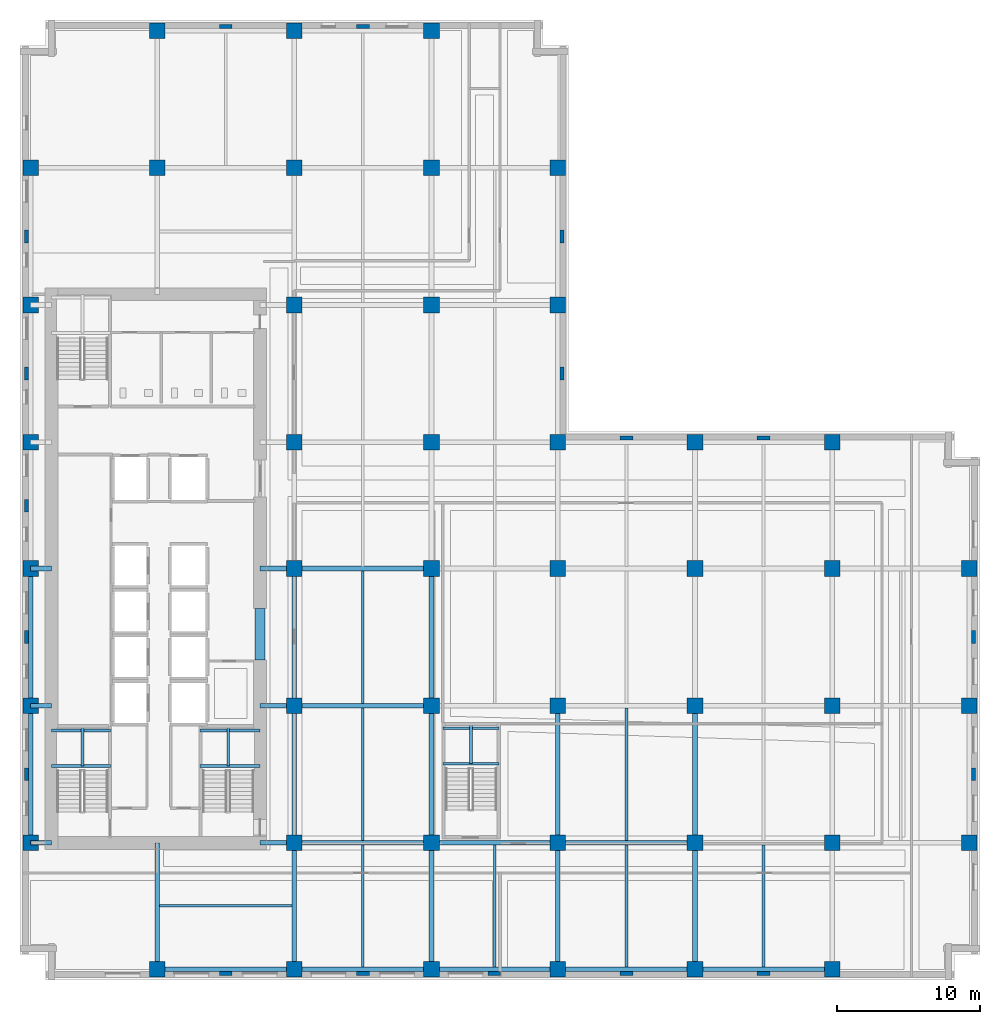
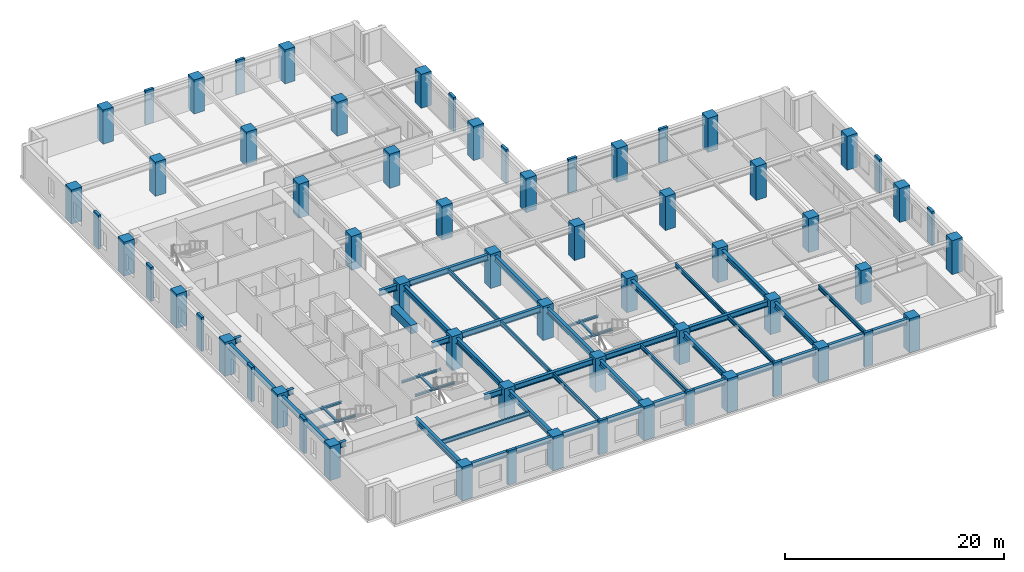
# One storey, part 1 of 15: 63 columns, 47 beams.
"""IFC4 building model written with IfcOpenShell, lengths in metres."""

from ifc_helpers import new_model, si_unit, direction, frame, origin, origin_2d, place, context, subcontext, project, spatial, rectangle, i_section, extrude, material, material_profile, profile_set, type_object, element, save


model = new_model("IFC4")

# Units and contexts
model_context = context("Model", 3, precision=1e-05, world=origin(), true_north=direction((0.0, 1.0)))
body_context = subcontext(model_context, "Body", "Model", "MODEL_VIEW")
ifc_project = project(units=[si_unit("LENGTHUNIT", "METRE"), si_unit("AREAUNIT", "SQUARE_METRE"), si_unit("VOLUMEUNIT", "CUBIC_METRE"), si_unit("PLANEANGLEUNIT", "RADIAN"), si_unit("MASSUNIT", "GRAM", prefix="KILO")], contexts=[model_context])

# Site, building, storey
site_placement = place(None, origin())
site = spatial("IfcSite", under=ifc_project, at=site_placement, CompositionType="ELEMENT")
building_placement = place(site_placement, origin())
building = spatial("IfcBuilding", under=site, at=building_placement, Name="Norrvale University Quadrangle", CompositionType="ELEMENT")
storey_placement = place(building_placement, frame((0.0, 0.0, 88.800048828125)))
storey = spatial("IfcBuildingStorey", under=building, at=storey_placement, Name="L22", CompositionType="ELEMENT", Elevation=88.800048828125)

# Columns
ifc_material_1 = material(Name="Buff Brick Concrete C60/75", Category="concrete")
ifc_material_profile_1 = material_profile(ifc_material_1, rectangle(XDim=0.89990234375, YDim=0.280029296875, at=origin_2d()), Name="Buff Brick Concrete C60/75")
ifc_profile_set_1 = profile_set([ifc_material_profile_1], Name="Buff Brick Concrete C60/75")
column_type_1 = type_object("IfcColumnType", Name="Column Buff Pier 900x280", PredefinedType="PILASTER", material=ifc_profile_set_1)
for number, where, z_axis, x_axis, name in (
    (1, (0.449951171875, 14.39990234375, 0.0), (0.0, 0.0, 1.0), (0.0, 1.0, 0.0), "Exterior Brick Facade Pilaster L22-01"),
    (2, (0.449951171875, 24.0, 0.0), (0.0, 0.0, 1.0), (0.0, 1.0, 0.0), "Exterior Brick Facade Pilaster L22-02"),
    (3, (0.449951171875, 33.199951171875, 0.0), (0.0, 0.0, 1.0), (0.0, 1.0, 0.0), "Exterior Brick Facade Pilaster L22-03"),
    (4, (0.449951171875, 42.449951171875, 0.0), (0.0, 0.0, 1.0), (0.0, 1.0, 0.0), "Exterior Brick Facade Pilaster L22-04"),
    (5, (0.449951171875, 52.050048828125, 0.0), (0.0, 0.0, 1.0), (0.0, 1.0, 0.0), "Exterior Brick Facade Pilaster L22-05"),
    (6, (14.39990234375, 0.449951171875, 0.0), (0.0, 0.0, 1.0), (1.0, 0.0, 0.0), "Exterior Brick Facade Pilaster L22-06"),
    (7, (24.0, 0.449951171875, 0.0), (0.0, 0.0, 1.0), (1.0, 0.0, 0.0), "Exterior Brick Facade Pilaster L22-07"),
    (8, (33.199951171875, 0.449951171875, 0.0), (0.0, 0.0, 1.0), (1.0, 0.0, 0.0), "Exterior Brick Facade Pilaster L22-08"),
    (9, (42.449951171875, 0.449951171875, 0.0), (0.0, 0.0, 1.0), (1.0, 0.0, 0.0), "Exterior Brick Facade Pilaster L22-09"),
    (10, (52.050048828125, 0.449951171875, 0.0), (0.0, 0.0, 1.0), (1.0, 0.0, 0.0), "Exterior Brick Facade Pilaster L22-10"),
    (11, (66.75, 14.39990234375, 0.0), (0.0, 0.0, 1.0), (0.0, 1.0, 0.0), "Exterior Brick Facade Pilaster L22-11"),
    (12, (66.75, 24.0, 0.0), (0.0, 0.0, 1.0), (0.0, 1.0, 0.0), "Exterior Brick Facade Pilaster L22-12"),
    (13, (14.39990234375, 66.75, 0.0), (0.0, 0.0, 1.0), (1.0, 0.0, 0.0), "Exterior Brick Facade Pilaster L22-13"),
    (14, (24.0, 66.75, 0.0), (0.0, 0.0, 1.0), (1.0, 0.0, 0.0), "Exterior Brick Facade Pilaster L22-14"),
    (15, (37.949951171875, 42.449951171875, 0.0), (0.0, 0.0, 1.0), (0.0, 1.0, 0.0), "Exterior Brick Facade Pilaster L22-15"),
    (16, (37.949951171875, 52.050048828125, 0.0), (0.0, 0.0, 1.0), (0.0, 1.0, 0.0), "Exterior Brick Facade Pilaster L22-16"),
    (17, (42.449951171875, 37.949951171875, 0.0), (0.0, 0.0, 1.0), (1.0, 0.0, 0.0), "Exterior Brick Facade Pilaster L22-17"),
    (18, (52.050048828125, 37.949951171875, 0.0), (0.0, 0.0, 1.0), (1.0, 0.0, 0.0), "Exterior Brick Facade Pilaster L22-18"),
):
    element("IfcColumn", number, at=place(storey_placement, frame(where, z_axis=z_axis, x_axis=x_axis)), inside=storey, type_object=column_type_1, Name=name, PredefinedType="PILASTER", context=body_context, shape_type="SweptSolid", body=[
        extrude(rectangle(XDim=0.89990234375, YDim=0.280029296875, at=origin_2d()), origin(), (0.0, 0.0, 1.0), 3.800048828125),
    ])
ifc_material_2 = material(Name="Concrete C80/95", Category="concrete")
ifc_material_profile_2 = material_profile(ifc_material_2, rectangle(XDim=1.10009765625, YDim=1.10009765625, at=origin_2d()), Name="Concrete C80/95")
ifc_profile_set_2 = profile_set([ifc_material_profile_2], Name="Concrete C80/95")
column_type_2 = type_object("IfcColumnType", Name="Column Tower Z1 1100x1100", PredefinedType="COLUMN", material=ifc_profile_set_2)
for number, where, z_axis, x_axis, name in (
    (19, (0.75, 9.60009765625, 0.0), (0.0, 0.0, 1.0), (1.0, 0.0, 0.0), "Tower Column L22-T01"),
    (20, (0.75, 19.199951171875, 0.0), (0.0, 0.0, 1.0), (1.0, 0.0, 0.0), "Tower Column L22-T02"),
    (21, (0.75, 28.800048828125, 0.0), (0.0, 0.0, 1.0), (1.0, 0.0, 0.0), "Tower Column L22-T03"),
    (22, (0.75, 37.64990234375, 0.0), (0.0, 0.0, 1.0), (1.0, 0.0, 0.0), "Tower Column L22-T04"),
    (23, (0.75, 47.25, 0.0), (0.0, 0.0, 1.0), (1.0, 0.0, 0.0), "Tower Column L22-T05"),
    (24, (0.75, 56.85009765625, 0.0), (0.0, 0.0, 1.0), (1.0, 0.0, 0.0), "Tower Column L22-T06"),
    (25, (9.60009765625, 0.75, 0.0), (0.0, 0.0, 1.0), (1.0, 0.0, 0.0), "Tower Column L22-T07"),
    (26, (9.60009765625, 56.85009765625, 0.0), (0.0, 0.0, 1.0), (1.0, 0.0, 0.0), "Tower Column L22-T08"),
    (27, (9.60009765625, 66.449951171875, 0.0), (0.0, 0.0, 1.0), (1.0, 0.0, 0.0), "Tower Column L22-T09"),
    (28, (19.199951171875, 0.75, 0.0), (0.0, 0.0, 1.0), (1.0, 0.0, 0.0), "Tower Column L22-T10"),
    (29, (19.199951171875, 9.60009765625, 0.0), (0.0, 0.0, 1.0), (1.0, 0.0, 0.0), "Tower Column L22-T11"),
    (30, (19.199951171875, 19.199951171875, 0.0), (0.0, 0.0, 1.0), (1.0, 0.0, 0.0), "Tower Column L22-T12"),
    (31, (19.199951171875, 28.800048828125, 0.0), (0.0, 0.0, 1.0), (1.0, 0.0, 0.0), "Tower Column L22-T13"),
    (32, (19.199951171875, 37.64990234375, 0.0), (0.0, 0.0, 1.0), (1.0, 0.0, 0.0), "Tower Column L22-T14"),
    (33, (19.199951171875, 47.25, 0.0), (0.0, 0.0, 1.0), (1.0, 0.0, 0.0), "Tower Column L22-T15"),
    (34, (19.199951171875, 56.85009765625, 0.0), (0.0, 0.0, 1.0), (1.0, 0.0, 0.0), "Tower Column L22-T16"),
    (35, (19.199951171875, 66.449951171875, 0.0), (0.0, 0.0, 1.0), (1.0, 0.0, 0.0), "Tower Column L22-T17"),
    (36, (28.800048828125, 0.75, 0.0), (0.0, 0.0, 1.0), (1.0, 0.0, 0.0), "Tower Column L22-T18"),
    (37, (28.800048828125, 9.60009765625, 0.0), (0.0, 0.0, 1.0), (1.0, 0.0, 0.0), "Tower Column L22-T19"),
    (38, (28.800048828125, 19.199951171875, 0.0), (0.0, 0.0, 1.0), (1.0, 0.0, 0.0), "Tower Column L22-T20"),
    (39, (28.800048828125, 28.800048828125, 0.0), (0.0, 0.0, 1.0), (1.0, 0.0, 0.0), "Tower Column L22-T21"),
    (40, (28.800048828125, 37.64990234375, 0.0), (0.0, 0.0, 1.0), (1.0, 0.0, 0.0), "Tower Column L22-T22"),
    (41, (28.800048828125, 47.25, 0.0), (0.0, 0.0, 1.0), (1.0, 0.0, 0.0), "Tower Column L22-T23"),
    (42, (28.800048828125, 56.85009765625, 0.0), (0.0, 0.0, 1.0), (1.0, 0.0, 0.0), "Tower Column L22-T24"),
    (43, (28.800048828125, 66.449951171875, 0.0), (0.0, 0.0, 1.0), (1.0, 0.0, 0.0), "Tower Column L22-T25"),
    (44, (37.64990234375, 0.75, 0.0), (0.0, 0.0, 1.0), (1.0, 0.0, 0.0), "Tower Column L22-T26"),
    (45, (37.64990234375, 9.60009765625, 0.0), (0.0, 0.0, 1.0), (1.0, 0.0, 0.0), "Tower Column L22-T27"),
    (46, (37.64990234375, 19.199951171875, 0.0), (0.0, 0.0, 1.0), (1.0, 0.0, 0.0), "Tower Column L22-T28"),
    (47, (37.64990234375, 28.800048828125, 0.0), (0.0, 0.0, 1.0), (1.0, 0.0, 0.0), "Tower Column L22-T29"),
    (48, (37.64990234375, 37.64990234375, 0.0), (0.0, 0.0, 1.0), (1.0, 0.0, 0.0), "Tower Column L22-T30"),
    (49, (37.64990234375, 47.25, 0.0), (0.0, 0.0, 1.0), (1.0, 0.0, 0.0), "Tower Column L22-T31"),
    (50, (37.64990234375, 56.85009765625, 0.0), (0.0, 0.0, 1.0), (1.0, 0.0, 0.0), "Tower Column L22-T32"),
    (51, (47.25, 0.75, 0.0), (0.0, 0.0, 1.0), (1.0, 0.0, 0.0), "Tower Column L22-T33"),
    (52, (47.25, 9.60009765625, 0.0), (0.0, 0.0, 1.0), (1.0, 0.0, 0.0), "Tower Column L22-T34"),
    (53, (47.25, 19.199951171875, 0.0), (0.0, 0.0, 1.0), (1.0, 0.0, 0.0), "Tower Column L22-T35"),
    (54, (47.25, 28.800048828125, 0.0), (0.0, 0.0, 1.0), (1.0, 0.0, 0.0), "Tower Column L22-T36"),
    (55, (47.25, 37.64990234375, 0.0), (0.0, 0.0, 1.0), (1.0, 0.0, 0.0), "Tower Column L22-T37"),
    (56, (56.85009765625, 0.75, 0.0), (0.0, 0.0, 1.0), (1.0, 0.0, 0.0), "Tower Column L22-T38"),
    (57, (56.85009765625, 9.60009765625, 0.0), (0.0, 0.0, 1.0), (1.0, 0.0, 0.0), "Tower Column L22-T39"),
    (58, (56.85009765625, 19.199951171875, 0.0), (0.0, 0.0, 1.0), (1.0, 0.0, 0.0), "Tower Column L22-T40"),
    (59, (56.85009765625, 28.800048828125, 0.0), (0.0, 0.0, 1.0), (1.0, 0.0, 0.0), "Tower Column L22-T41"),
    (60, (56.85009765625, 37.64990234375, 0.0), (0.0, 0.0, 1.0), (1.0, 0.0, 0.0), "Tower Column L22-T42"),
    (61, (66.449951171875, 9.60009765625, 0.0), (0.0, 0.0, 1.0), (1.0, 0.0, 0.0), "Tower Column L22-T43"),
    (62, (66.449951171875, 19.199951171875, 0.0), (0.0, 0.0, 1.0), (1.0, 0.0, 0.0), "Tower Column L22-T44"),
    (63, (66.449951171875, 28.800048828125, 0.0), (0.0, 0.0, 1.0), (1.0, 0.0, 0.0), "Tower Column L22-T45"),
):
    element("IfcColumn", number, at=place(storey_placement, frame(where, z_axis=z_axis, x_axis=x_axis)), inside=storey, type_object=column_type_2, Name=name, PredefinedType="COLUMN", context=body_context, shape_type="SweptSolid", body=[
        extrude(rectangle(XDim=1.10009765625, YDim=1.10009765625, at=origin_2d()), origin(), (0.0, 0.0, 1.0), 3.800048828125),
    ])

# Beams
ifc_material_3 = material(Name="Steel 350W", Category="steel")
ifc_material_profile_3 = material_profile(ifc_material_3, i_section(OverallWidth=0.324951171875, OverallDepth=0.615966796875, WebThickness=0.013916015625, FlangeThickness=0.021484375, FilletRadius=0.01611328125, at=origin_2d()), Name="Steel 350W")
ifc_profile_set_3 = profile_set([ifc_material_profile_3], Name="Steel 350W")
beam_type_1 = type_object("IfcBeamType", Name="Beam Belt W610x174", PredefinedType="BEAM", material=ifc_profile_set_3)
beam_1_placement = place(storey_placement, frame((9.60009765625, 0.75, 3.23193359375), z_axis=(1.0, 0.0, 0.0), x_axis=(0.0, 1.0, 0.0)))
element("IfcBeam", 64, at=beam_1_placement, inside=storey, type_object=beam_type_1, Name="Beam Belt W610x174 BM-L22-GX001", PredefinedType="BEAM", context=body_context, shape_type="SweptSolid", body=[
    extrude(i_section(OverallWidth=0.324951171875, OverallDepth=0.615966796875, WebThickness=0.013916015625, FlangeThickness=0.021484375, FilletRadius=0.01611328125, at=origin_2d()), origin(), (0.0, 0.0, 1.0), 9.599853515625),
])
beam_2_placement = place(storey_placement, frame((19.199951171875, 0.75, 3.23193359375), z_axis=(1.0, 0.0, 0.0), x_axis=(0.0, 1.0, 0.0)))
element("IfcBeam", 65, at=beam_2_placement, inside=storey, type_object=beam_type_1, Name="Beam Belt W610x174 BM-L22-GX002", PredefinedType="BEAM", context=body_context, shape_type="SweptSolid", body=[
    extrude(i_section(OverallWidth=0.324951171875, OverallDepth=0.615966796875, WebThickness=0.013916015625, FlangeThickness=0.021484375, FilletRadius=0.01611328125, at=origin_2d()), origin(), (0.0, 0.0, 1.0), 9.60009765625),
])
beam_3_placement = place(storey_placement, frame((28.800048828125, 0.75, 3.23193359375), z_axis=(1.0, 0.0, 0.0), x_axis=(0.0, 1.0, 0.0)))
element("IfcBeam", 66, at=beam_3_placement, inside=storey, type_object=beam_type_1, Name="Beam Belt W610x174 BM-L22-GX003", PredefinedType="BEAM", context=body_context, shape_type="SweptSolid", body=[
    extrude(i_section(OverallWidth=0.324951171875, OverallDepth=0.615966796875, WebThickness=0.013916015625, FlangeThickness=0.021484375, FilletRadius=0.01611328125, at=origin_2d()), origin(), (0.0, 0.0, 1.0), 8.849853515625),
])
for number, where, z_axis, x_axis, name in (
    (67, (37.64990234375, 0.75, 3.23193359375), (1.0, 0.0, 0.0), (0.0, 1.0, 0.0), "Beam Belt W610x174 BM-L22-GX004"),
    (68, (47.25, 0.75, 3.23193359375), (1.0, 0.0, 0.0), (0.0, 1.0, 0.0), "Beam Belt W610x174 BM-L22-GX005"),
    (69, (19.199951171875, 9.60009765625, 3.23193359375), (1.0, 0.0, 0.0), (0.0, 1.0, 0.0), "Beam Belt W610x174 BM-L22-GX006"),
):
    element("IfcBeam", number, at=place(storey_placement, frame(where, z_axis=z_axis, x_axis=x_axis)), inside=storey, type_object=beam_type_1, Name=name, PredefinedType="BEAM", context=body_context, shape_type="SweptSolid", body=[
        extrude(i_section(OverallWidth=0.324951171875, OverallDepth=0.615966796875, WebThickness=0.013916015625, FlangeThickness=0.021484375, FilletRadius=0.01611328125, at=origin_2d()), origin(), (0.0, 0.0, 1.0), 9.60009765625),
    ])
beam_4_placement = place(storey_placement, frame((28.800048828125, 9.60009765625, 3.23193359375), z_axis=(1.0, 0.0, 0.0), x_axis=(0.0, 1.0, 0.0)))
element("IfcBeam", 70, at=beam_4_placement, inside=storey, type_object=beam_type_1, Name="Beam Belt W610x174 BM-L22-GX007", PredefinedType="BEAM", context=body_context, shape_type="SweptSolid", body=[
    extrude(i_section(OverallWidth=0.324951171875, OverallDepth=0.615966796875, WebThickness=0.013916015625, FlangeThickness=0.021484375, FilletRadius=0.01611328125, at=origin_2d()), origin(), (0.0, 0.0, 1.0), 8.849853515625),
])
for number, where, z_axis, x_axis, name in (
    (71, (37.64990234375, 9.60009765625, 3.23193359375), (1.0, 0.0, 0.0), (0.0, 1.0, 0.0), "Beam Belt W610x174 BM-L22-GX008"),
    (72, (19.199951171875, 19.199951171875, 3.23193359375), (1.0, 0.0, 0.0), (0.0, 1.0, 0.0), "Beam Belt W610x174 BM-L22-GX011"),
    (73, (19.199951171875, 28.800048828125, 3.23193359375), (1.0, 0.0, 0.0), (0.0, 1.0, 0.0), "Beam Belt W610x174 BM-L22-GX016"),
):
    element("IfcBeam", number, at=place(storey_placement, frame(where, z_axis=z_axis, x_axis=x_axis)), inside=storey, type_object=beam_type_1, Name=name, PredefinedType="BEAM", context=body_context, shape_type="SweptSolid", body=[
        extrude(i_section(OverallWidth=0.324951171875, OverallDepth=0.615966796875, WebThickness=0.013916015625, FlangeThickness=0.021484375, FilletRadius=0.01611328125, at=origin_2d()), origin(), (0.0, 0.0, 1.0), 9.60009765625),
    ])
beam_5_placement = place(storey_placement, frame((0.75, 9.60009765625, 3.23193359375), z_axis=(0.0, 1.0, 0.0), x_axis=(-1.0, 0.0, 0.0)))
element("IfcBeam", 74, at=beam_5_placement, inside=storey, type_object=beam_type_1, Name="Beam Belt W610x174 BM-L22-GY033", PredefinedType="BEAM", context=body_context, shape_type="SweptSolid", body=[
    extrude(i_section(OverallWidth=0.324951171875, OverallDepth=0.615966796875, WebThickness=0.013916015625, FlangeThickness=0.021484375, FilletRadius=0.01611328125, at=origin_2d()), origin(), (0.0, 0.0, 1.0), 9.599853515625),
])
beam_6_placement = place(storey_placement, frame((0.75, 19.199951171875, 3.23193359375), z_axis=(0.0, 1.0, 0.0), x_axis=(-1.0, 0.0, 0.0)))
element("IfcBeam", 75, at=beam_6_placement, inside=storey, type_object=beam_type_1, Name="Beam Belt W610x174 BM-L22-GY034", PredefinedType="BEAM", context=body_context, shape_type="SweptSolid", body=[
    extrude(i_section(OverallWidth=0.324951171875, OverallDepth=0.615966796875, WebThickness=0.013916015625, FlangeThickness=0.021484375, FilletRadius=0.01611328125, at=origin_2d()), origin(), (0.0, 0.0, 1.0), 9.60009765625),
])
beam_7_placement = place(storey_placement, frame((19.199951171875, 0.75, 3.23193359375), z_axis=(0.0, 1.0, 0.0), x_axis=(-1.0, 0.0, 0.0)))
element("IfcBeam", 76, at=beam_7_placement, inside=storey, type_object=beam_type_1, Name="Beam Belt W610x174 BM-L22-GY039", PredefinedType="BEAM", context=body_context, shape_type="SweptSolid", body=[
    extrude(i_section(OverallWidth=0.324951171875, OverallDepth=0.615966796875, WebThickness=0.013916015625, FlangeThickness=0.021484375, FilletRadius=0.01611328125, at=origin_2d()), origin(), (0.0, 0.0, 1.0), 8.85009765625),
])
beam_8_placement = place(storey_placement, frame((19.199951171875, 9.60009765625, 3.23193359375), z_axis=(0.0, 1.0, 0.0), x_axis=(-1.0, 0.0, 0.0)))
element("IfcBeam", 77, at=beam_8_placement, inside=storey, type_object=beam_type_1, Name="Beam Belt W610x174 BM-L22-GY040", PredefinedType="BEAM", context=body_context, shape_type="SweptSolid", body=[
    extrude(i_section(OverallWidth=0.324951171875, OverallDepth=0.615966796875, WebThickness=0.013916015625, FlangeThickness=0.021484375, FilletRadius=0.01611328125, at=origin_2d()), origin(), (0.0, 0.0, 1.0), 9.599853515625),
])
beam_9_placement = place(storey_placement, frame((19.199951171875, 19.199951171875, 3.23193359375), z_axis=(0.0, 1.0, 0.0), x_axis=(-1.0, 0.0, 0.0)))
element("IfcBeam", 78, at=beam_9_placement, inside=storey, type_object=beam_type_1, Name="Beam Belt W610x174 BM-L22-GY041", PredefinedType="BEAM", context=body_context, shape_type="SweptSolid", body=[
    extrude(i_section(OverallWidth=0.324951171875, OverallDepth=0.615966796875, WebThickness=0.013916015625, FlangeThickness=0.021484375, FilletRadius=0.01611328125, at=origin_2d()), origin(), (0.0, 0.0, 1.0), 9.60009765625),
])
beam_10_placement = place(storey_placement, frame((28.800048828125, 0.75, 3.23193359375), z_axis=(0.0, 1.0, 0.0), x_axis=(-1.0, 0.0, 0.0)))
element("IfcBeam", 79, at=beam_10_placement, inside=storey, type_object=beam_type_1, Name="Beam Belt W610x174 BM-L22-GY046", PredefinedType="BEAM", context=body_context, shape_type="SweptSolid", body=[
    extrude(i_section(OverallWidth=0.324951171875, OverallDepth=0.615966796875, WebThickness=0.013916015625, FlangeThickness=0.021484375, FilletRadius=0.01611328125, at=origin_2d()), origin(), (0.0, 0.0, 1.0), 8.85009765625),
])
beam_11_placement = place(storey_placement, frame((28.800048828125, 9.60009765625, 3.23193359375), z_axis=(0.0, 1.0, 0.0), x_axis=(-1.0, 0.0, 0.0)))
element("IfcBeam", 80, at=beam_11_placement, inside=storey, type_object=beam_type_1, Name="Beam Belt W610x174 BM-L22-GY047", PredefinedType="BEAM", context=body_context, shape_type="SweptSolid", body=[
    extrude(i_section(OverallWidth=0.324951171875, OverallDepth=0.615966796875, WebThickness=0.013916015625, FlangeThickness=0.021484375, FilletRadius=0.01611328125, at=origin_2d()), origin(), (0.0, 0.0, 1.0), 9.599853515625),
])
beam_12_placement = place(storey_placement, frame((28.800048828125, 19.199951171875, 3.23193359375), z_axis=(0.0, 1.0, 0.0), x_axis=(-1.0, 0.0, 0.0)))
element("IfcBeam", 81, at=beam_12_placement, inside=storey, type_object=beam_type_1, Name="Beam Belt W610x174 BM-L22-GY048", PredefinedType="BEAM", context=body_context, shape_type="SweptSolid", body=[
    extrude(i_section(OverallWidth=0.324951171875, OverallDepth=0.615966796875, WebThickness=0.013916015625, FlangeThickness=0.021484375, FilletRadius=0.01611328125, at=origin_2d()), origin(), (0.0, 0.0, 1.0), 9.60009765625),
])
beam_13_placement = place(storey_placement, frame((37.64990234375, 0.75, 3.23193359375), z_axis=(0.0, 1.0, 0.0), x_axis=(-1.0, 0.0, 0.0)))
element("IfcBeam", 82, at=beam_13_placement, inside=storey, type_object=beam_type_1, Name="Beam Belt W610x174 BM-L22-GY053", PredefinedType="BEAM", context=body_context, shape_type="SweptSolid", body=[
    extrude(i_section(OverallWidth=0.324951171875, OverallDepth=0.615966796875, WebThickness=0.013916015625, FlangeThickness=0.021484375, FilletRadius=0.01611328125, at=origin_2d()), origin(), (0.0, 0.0, 1.0), 8.85009765625),
])
beam_14_placement = place(storey_placement, frame((37.64990234375, 9.60009765625, 3.23193359375), z_axis=(0.0, 1.0, 0.0), x_axis=(-1.0, 0.0, 0.0)))
element("IfcBeam", 83, at=beam_14_placement, inside=storey, type_object=beam_type_1, Name="Beam Belt W610x174 BM-L22-GY054", PredefinedType="BEAM", context=body_context, shape_type="SweptSolid", body=[
    extrude(i_section(OverallWidth=0.324951171875, OverallDepth=0.615966796875, WebThickness=0.013916015625, FlangeThickness=0.021484375, FilletRadius=0.01611328125, at=origin_2d()), origin(), (0.0, 0.0, 1.0), 9.599853515625),
])
beam_15_placement = place(storey_placement, frame((47.25, 0.75, 3.23193359375), z_axis=(0.0, 1.0, 0.0), x_axis=(-1.0, 0.0, 0.0)))
element("IfcBeam", 84, at=beam_15_placement, inside=storey, type_object=beam_type_1, Name="Beam Belt W610x174 BM-L22-GY059", PredefinedType="BEAM", context=body_context, shape_type="SweptSolid", body=[
    extrude(i_section(OverallWidth=0.324951171875, OverallDepth=0.615966796875, WebThickness=0.013916015625, FlangeThickness=0.021484375, FilletRadius=0.01611328125, at=origin_2d()), origin(), (0.0, 0.0, 1.0), 8.85009765625),
])
beam_16_placement = place(storey_placement, frame((47.25, 9.60009765625, 3.23193359375), z_axis=(0.0, 1.0, 0.0), x_axis=(-1.0, 0.0, 0.0)))
element("IfcBeam", 85, at=beam_16_placement, inside=storey, type_object=beam_type_1, Name="Beam Belt W610x174 BM-L22-GY060", PredefinedType="BEAM", context=body_context, shape_type="SweptSolid", body=[
    extrude(i_section(OverallWidth=0.324951171875, OverallDepth=0.615966796875, WebThickness=0.013916015625, FlangeThickness=0.021484375, FilletRadius=0.01611328125, at=origin_2d()), origin(), (0.0, 0.0, 1.0), 9.599853515625),
])
beam_17_placement = place(storey_placement, frame((0.75, 9.60009765625, 3.23193359375), z_axis=(1.0, 0.0, 0.0), x_axis=(0.0, 1.0, 0.0)))
element("IfcBeam", 86, at=beam_17_placement, inside=storey, type_object=beam_type_1, Name="Beam Belt W610x174 BM-L22-GCW069", PredefinedType="BEAM", context=body_context, shape_type="SweptSolid", body=[
    extrude(i_section(OverallWidth=0.324951171875, OverallDepth=0.615966796875, WebThickness=0.013916015625, FlangeThickness=0.021484375, FilletRadius=0.01611328125, at=origin_2d()), origin(), (0.0, 0.0, 1.0), 1.449951171875),
])
beam_18_placement = place(storey_placement, frame((16.800048828125, 9.60009765625, 3.23193359375), z_axis=(1.0, 0.0, 0.0), x_axis=(0.0, 1.0, 0.0)))
element("IfcBeam", 87, at=beam_18_placement, inside=storey, type_object=beam_type_1, Name="Beam Belt W610x174 BM-L22-GCE070", PredefinedType="BEAM", context=body_context, shape_type="SweptSolid", body=[
    extrude(i_section(OverallWidth=0.324951171875, OverallDepth=0.615966796875, WebThickness=0.013916015625, FlangeThickness=0.021484375, FilletRadius=0.01611328125, at=origin_2d()), origin(), (0.0, 0.0, 1.0), 2.39990234375),
])
beam_19_placement = place(storey_placement, frame((0.75, 19.199951171875, 3.23193359375), z_axis=(1.0, 0.0, 0.0), x_axis=(0.0, 1.0, 0.0)))
element("IfcBeam", 88, at=beam_19_placement, inside=storey, type_object=beam_type_1, Name="Beam Belt W610x174 BM-L22-GCW071", PredefinedType="BEAM", context=body_context, shape_type="SweptSolid", body=[
    extrude(i_section(OverallWidth=0.324951171875, OverallDepth=0.615966796875, WebThickness=0.013916015625, FlangeThickness=0.021484375, FilletRadius=0.01611328125, at=origin_2d()), origin(), (0.0, 0.0, 1.0), 1.449951171875),
])
beam_20_placement = place(storey_placement, frame((16.800048828125, 19.199951171875, 3.23193359375), z_axis=(1.0, 0.0, 0.0), x_axis=(0.0, 1.0, 0.0)))
element("IfcBeam", 89, at=beam_20_placement, inside=storey, type_object=beam_type_1, Name="Beam Belt W610x174 BM-L22-GCE072", PredefinedType="BEAM", context=body_context, shape_type="SweptSolid", body=[
    extrude(i_section(OverallWidth=0.324951171875, OverallDepth=0.615966796875, WebThickness=0.013916015625, FlangeThickness=0.021484375, FilletRadius=0.01611328125, at=origin_2d()), origin(), (0.0, 0.0, 1.0), 2.39990234375),
])
beam_21_placement = place(storey_placement, frame((0.75, 28.800048828125, 3.23193359375), z_axis=(1.0, 0.0, 0.0), x_axis=(0.0, 1.0, 0.0)))
element("IfcBeam", 90, at=beam_21_placement, inside=storey, type_object=beam_type_1, Name="Beam Belt W610x174 BM-L22-GCW073", PredefinedType="BEAM", context=body_context, shape_type="SweptSolid", body=[
    extrude(i_section(OverallWidth=0.324951171875, OverallDepth=0.615966796875, WebThickness=0.013916015625, FlangeThickness=0.021484375, FilletRadius=0.01611328125, at=origin_2d()), origin(), (0.0, 0.0, 1.0), 1.449951171875),
])
beam_22_placement = place(storey_placement, frame((16.800048828125, 28.800048828125, 3.23193359375), z_axis=(1.0, 0.0, 0.0), x_axis=(0.0, 1.0, 0.0)))
element("IfcBeam", 91, at=beam_22_placement, inside=storey, type_object=beam_type_1, Name="Beam Belt W610x174 BM-L22-GCE074", PredefinedType="BEAM", context=body_context, shape_type="SweptSolid", body=[
    extrude(i_section(OverallWidth=0.324951171875, OverallDepth=0.615966796875, WebThickness=0.013916015625, FlangeThickness=0.021484375, FilletRadius=0.01611328125, at=origin_2d()), origin(), (0.0, 0.0, 1.0), 2.39990234375),
])
beam_23_placement = place(storey_placement, frame((9.60009765625, 0.75, 3.23193359375), z_axis=(0.0, 1.0, 0.0), x_axis=(-1.0, 0.0, 0.0)))
element("IfcBeam", 92, at=beam_23_placement, inside=storey, type_object=beam_type_1, Name="Beam Belt W610x174 BM-L22-GCS102", PredefinedType="BEAM", context=body_context, shape_type="SweptSolid", body=[
    extrude(i_section(OverallWidth=0.324951171875, OverallDepth=0.615966796875, WebThickness=0.013916015625, FlangeThickness=0.021484375, FilletRadius=0.01611328125, at=origin_2d()), origin(), (0.0, 0.0, 1.0), 8.85009765625),
])
ifc_material_profile_4 = material_profile(ifc_material_2, rectangle(XDim=0.699951171875, YDim=0.949951171875, at=origin_2d()), Name="Concrete C80/95")
ifc_profile_set_4 = profile_set([ifc_material_profile_4], Name="Concrete C80/95")
beam_type_2 = type_object("IfcBeamType", Name="Beam Core Link 700x950", PredefinedType="LINTEL", material=ifc_profile_set_4)
beam_24_placement = place(storey_placement, frame((16.800048828125, 22.39990234375, 3.06494140625), z_axis=(0.0, 1.0, 0.0), x_axis=(-1.0, 0.0, 0.0)))
element("IfcBeam", 93, at=beam_24_placement, inside=storey, type_object=beam_type_2, Name="Core Coupling Lintel Beam L22-1", PredefinedType="LINTEL", context=body_context, shape_type="SweptSolid", body=[
    extrude(rectangle(XDim=0.699951171875, YDim=0.949951171875, at=origin_2d()), origin(), (0.0, 0.0, 1.0), 3.60009765625),
])
ifc_material_profile_5 = material_profile(ifc_material_3, i_section(OverallWidth=0.194091796875, OverallDepth=0.468994140625, WebThickness=0.0126953125, FlangeThickness=0.0205078125, FilletRadius=0.012939453125, at=origin_2d()), Name="Steel 350W")
ifc_profile_set_5 = profile_set([ifc_material_profile_5], Name="Steel 350W")
beam_type_3 = type_object("IfcBeamType", Name="Beam Floor W460x106", PredefinedType="BEAM", material=ifc_profile_set_5)
beam_25_placement = place(storey_placement, frame((24.0, 0.91259765625, 3.305419921875), z_axis=(0.0, 1.0, 0.0), x_axis=(-1.0, 0.0, 0.0)))
element("IfcBeam", 94, at=beam_25_placement, inside=storey, type_object=beam_type_3, Name="Beam Floor W460x106 BM-L22-J080", PredefinedType="BEAM", context=body_context, shape_type="SweptSolid", body=[
    extrude(i_section(OverallWidth=0.194091796875, OverallDepth=0.468994140625, WebThickness=0.0126953125, FlangeThickness=0.0205078125, FilletRadius=0.012939453125, at=origin_2d()), origin(), (0.0, 0.0, 1.0), 8.52490234375),
])
beam_26_placement = place(storey_placement, frame((24.0, 9.762451171875, 3.305419921875), z_axis=(0.0, 1.0, 0.0), x_axis=(-1.0, 0.0, 0.0)))
element("IfcBeam", 95, at=beam_26_placement, inside=storey, type_object=beam_type_3, Name="Beam Floor W460x106 BM-L22-J081", PredefinedType="BEAM", context=body_context, shape_type="SweptSolid", body=[
    extrude(i_section(OverallWidth=0.194091796875, OverallDepth=0.468994140625, WebThickness=0.0126953125, FlangeThickness=0.0205078125, FilletRadius=0.012939453125, at=origin_2d()), origin(), (0.0, 0.0, 1.0), 9.275146484375),
])
beam_27_placement = place(storey_placement, frame((24.0, 19.362548828125, 3.305419921875), z_axis=(0.0, 1.0, 0.0), x_axis=(-1.0, 0.0, 0.0)))
element("IfcBeam", 96, at=beam_27_placement, inside=storey, type_object=beam_type_3, Name="Beam Floor W460x106 BM-L22-J082", PredefinedType="BEAM", context=body_context, shape_type="SweptSolid", body=[
    extrude(i_section(OverallWidth=0.194091796875, OverallDepth=0.468994140625, WebThickness=0.0126953125, FlangeThickness=0.0205078125, FilletRadius=0.012939453125, at=origin_2d()), origin(), (0.0, 0.0, 1.0), 9.27490234375),
])
for number, where, z_axis, x_axis, name in (
    (97, (33.22509765625, 0.91259765625, 3.305419921875), (0.0, 1.0, 0.0), (-1.0, 0.0, 0.0), "Beam Floor W460x106 BM-L22-J087"),
    (98, (42.449951171875, 0.91259765625, 3.305419921875), (0.0, 1.0, 0.0), (-1.0, 0.0, 0.0), "Beam Floor W460x106 BM-L22-J092"),
):
    element("IfcBeam", number, at=place(storey_placement, frame(where, z_axis=z_axis, x_axis=x_axis)), inside=storey, type_object=beam_type_3, Name=name, PredefinedType="BEAM", context=body_context, shape_type="SweptSolid", body=[
        extrude(i_section(OverallWidth=0.194091796875, OverallDepth=0.468994140625, WebThickness=0.0126953125, FlangeThickness=0.0205078125, FilletRadius=0.012939453125, at=origin_2d()), origin(), (0.0, 0.0, 1.0), 8.52490234375),
    ])
beam_28_placement = place(storey_placement, frame((42.449951171875, 9.762451171875, 3.305419921875), z_axis=(0.0, 1.0, 0.0), x_axis=(-1.0, 0.0, 0.0)))
element("IfcBeam", 99, at=beam_28_placement, inside=storey, type_object=beam_type_3, Name="Beam Floor W460x106 BM-L22-J093", PredefinedType="BEAM", context=body_context, shape_type="SweptSolid", body=[
    extrude(i_section(OverallWidth=0.194091796875, OverallDepth=0.468994140625, WebThickness=0.0126953125, FlangeThickness=0.0205078125, FilletRadius=0.012939453125, at=origin_2d()), origin(), (0.0, 0.0, 1.0), 9.275146484375),
])
beam_29_placement = place(storey_placement, frame((52.050048828125, 0.91259765625, 3.305419921875), z_axis=(0.0, 1.0, 0.0), x_axis=(-1.0, 0.0, 0.0)))
element("IfcBeam", 100, at=beam_29_placement, inside=storey, type_object=beam_type_3, Name="Beam Floor W460x106 BM-L22-J096", PredefinedType="BEAM", context=body_context, shape_type="SweptSolid", body=[
    extrude(i_section(OverallWidth=0.194091796875, OverallDepth=0.468994140625, WebThickness=0.0126953125, FlangeThickness=0.0205078125, FilletRadius=0.012939453125, at=origin_2d()), origin(), (0.0, 0.0, 1.0), 8.52490234375),
])
beam_30_placement = place(storey_placement, frame((9.762451171875, 5.199951171875, 3.305419921875), z_axis=(1.0, 0.0, 0.0), x_axis=(0.0, 1.0, 0.0)))
element("IfcBeam", 101, at=beam_30_placement, inside=storey, type_object=beam_type_3, Name="Beam Floor W460x106 BM-L22-JCS103", PredefinedType="BEAM", context=body_context, shape_type="SweptSolid", body=[
    extrude(i_section(OverallWidth=0.194091796875, OverallDepth=0.468994140625, WebThickness=0.0126953125, FlangeThickness=0.0205078125, FilletRadius=0.012939453125, at=origin_2d()), origin(), (0.0, 0.0, 1.0), 9.275146484375),
])
ifc_material_profile_6 = material_profile(ifc_material_3, i_section(OverallWidth=0.201904296875, OverallDepth=0.2470703125, WebThickness=0.00732421875, FlangeThickness=0.010986328125, FilletRadius=0.011962890625, at=origin_2d()), Name="Steel 350W")
ifc_profile_set_6 = profile_set([ifc_material_profile_6], Name="Steel 350W")
beam_type_4 = type_object("IfcBeamType", Name="Beam Stair W250x49", PredefinedType="BEAM", material=ifc_profile_set_6)
for number, where, z_axis, x_axis, name in (
    (102, (2.199951171875, 14.989990234375, 1.576416015625), (1.0, 0.0, 0.0), (0.0, 1.0, 0.0), "Stair Mid-Landing Front Beam ST-01 L22"),
    (103, (2.199951171875, 17.469970703125, 1.576416015625), (1.0, 0.0, 0.0), (0.0, 1.0, 0.0), "Stair Mid-Landing Rear Beam ST-01 L22"),
):
    element("IfcBeam", number, at=place(storey_placement, frame(where, z_axis=z_axis, x_axis=x_axis)), inside=storey, type_object=beam_type_4, Name=name, PredefinedType="BEAM", context=body_context, shape_type="SweptSolid", body=[
        extrude(i_section(OverallWidth=0.201904296875, OverallDepth=0.2470703125, WebThickness=0.00732421875, FlangeThickness=0.010986328125, FilletRadius=0.011962890625, at=origin_2d()), origin(), (0.0, 0.0, 1.0), 4.14013671875),
    ])
for number, where, z_axis, x_axis, name in (
    (104, (12.610107421875, 14.989990234375, 1.576416015625), (1.0, 0.0, 0.0), (0.0, 1.0, 0.0), "Stair Mid-Landing Front Beam ST-03 L22"),
    (105, (12.610107421875, 17.469970703125, 1.576416015625), (1.0, 0.0, 0.0), (0.0, 1.0, 0.0), "Stair Mid-Landing Rear Beam ST-03 L22"),
):
    element("IfcBeam", number, at=place(storey_placement, frame(where, z_axis=z_axis, x_axis=x_axis)), inside=storey, type_object=beam_type_4, Name=name, PredefinedType="BEAM", context=body_context, shape_type="SweptSolid", body=[
        extrude(i_section(OverallWidth=0.201904296875, OverallDepth=0.2470703125, WebThickness=0.00732421875, FlangeThickness=0.010986328125, FilletRadius=0.011962890625, at=origin_2d()), origin(), (0.0, 0.0, 1.0), 4.18994140625),
    ])
for number, where, z_axis, x_axis, name in (
    (106, (29.610107421875, 15.139892578125, 1.576416015625), (1.0, 0.0, 0.0), (0.0, 1.0, 0.0), "Stair Mid-Landing Front Beam ST-04 L22"),
    (107, (29.610107421875, 17.6201171875, 1.576416015625), (1.0, 0.0, 0.0), (0.0, 1.0, 0.0), "Stair Mid-Landing Rear Beam ST-04 L22"),
):
    element("IfcBeam", number, at=place(storey_placement, frame(where, z_axis=z_axis, x_axis=x_axis)), inside=storey, type_object=beam_type_4, Name=name, PredefinedType="BEAM", context=body_context, shape_type="SweptSolid", body=[
        extrude(i_section(OverallWidth=0.201904296875, OverallDepth=0.2470703125, WebThickness=0.00732421875, FlangeThickness=0.010986328125, FilletRadius=0.011962890625, at=origin_2d()), origin(), (0.0, 0.0, 1.0), 3.929931640625),
    ])
ifc_material_profile_7 = material_profile(ifc_material_3, i_section(OverallWidth=0.202880859375, OverallDepth=0.202880859375, WebThickness=0.007080078125, FlangeThickness=0.010986328125, FilletRadius=0.010009765625, at=origin_2d()), Name="Steel 350W")
ifc_profile_set_7 = profile_set([ifc_material_profile_7], Name="Steel 350W")
beam_type_5 = type_object("IfcBeamType", Name="Beam Trim W200x46", PredefinedType="BEAM", material=ifc_profile_set_7)
for number, where, z_axis, x_axis, name in (
    (108, (4.375, 14.989990234375, 1.598388671875), (0.0, 1.0, 0.0), (-1.0, 0.0, 0.0), "Stair Mid-Landing Cross Beam ST-01 L22"),
    (109, (14.574951171875, 14.989990234375, 1.598388671875), (0.0, 1.0, 0.0), (-1.0, 0.0, 0.0), "Stair Mid-Landing Cross Beam ST-03 L22"),
    (110, (31.574951171875, 15.139892578125, 1.598388671875), (0.0, 1.0, 0.0), (-1.0, 0.0, 0.0), "Stair Mid-Landing Cross Beam ST-04 L22"),
):
    element("IfcBeam", number, at=place(storey_placement, frame(where, z_axis=z_axis, x_axis=x_axis)), inside=storey, type_object=beam_type_5, Name=name, PredefinedType="BEAM", context=body_context, shape_type="SweptSolid", body=[
        extrude(i_section(OverallWidth=0.202880859375, OverallDepth=0.202880859375, WebThickness=0.007080078125, FlangeThickness=0.010986328125, FilletRadius=0.010009765625, at=origin_2d()), origin(), (0.0, 0.0, 1.0), 2.800048828125),
    ])

save(model, "model.ifc")
